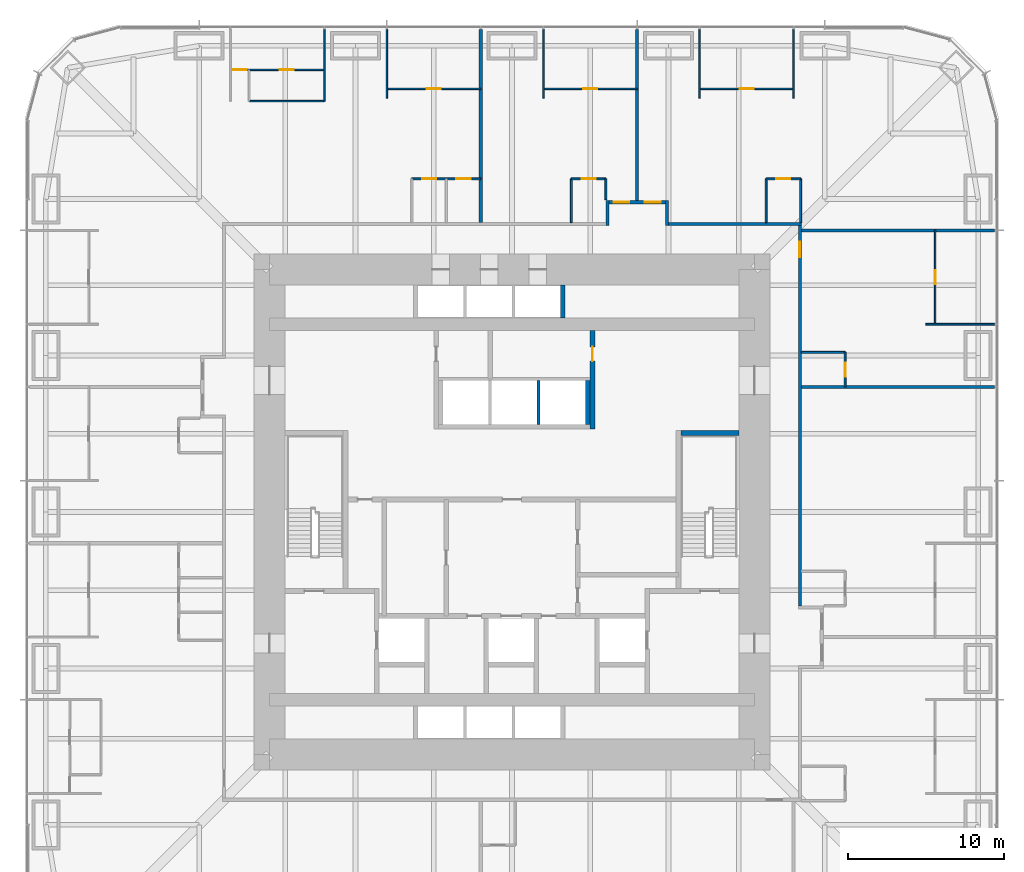
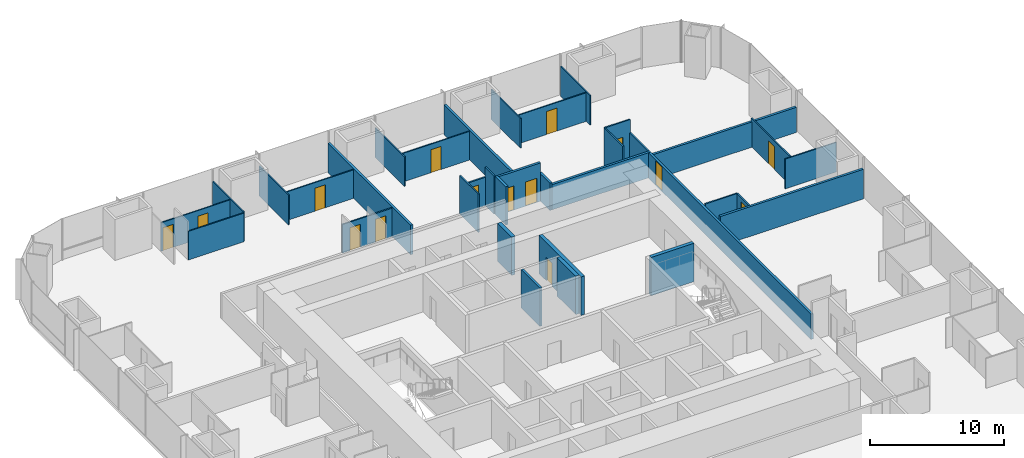
# One storey, part 15 of 17: 35 walls, 15 doors, 15 openings.
"""IFC4 building model written with IfcOpenShell, lengths in metres."""

from ifc_helpers import new_model, si_unit, direction, frame, frame_2d, origin, place, context, subcontext, project, spatial, rectangle, extrude, material, layer, layer_set, type_object, element, fill, save


model = new_model("IFC4")

# Units and contexts
model_context = context("Model", 3, precision=1e-05, world=origin(), true_north=direction((0.0, 1.0)))
body_context = subcontext(model_context, "Body", "Model", "MODEL_VIEW")
ifc_project = project(units=[si_unit("LENGTHUNIT", "METRE"), si_unit("AREAUNIT", "SQUARE_METRE"), si_unit("VOLUMEUNIT", "CUBIC_METRE"), si_unit("PLANEANGLEUNIT", "RADIAN"), si_unit("MASSUNIT", "GRAM", prefix="KILO")], contexts=[model_context])

# Site, building, storey
site_placement = place(None, origin())
site = spatial("IfcSite", under=ifc_project, at=site_placement, CompositionType="ELEMENT")
building_placement = place(site_placement, origin())
building = spatial("IfcBuilding", under=site, at=building_placement, Name="Khuree Lantern Residences", CompositionType="ELEMENT")
storey_placement = place(building_placement, frame((0.0, 0.0, 84.75)))
storey = spatial("IfcBuildingStorey", under=building, at=storey_placement, Name="L21", CompositionType="ELEMENT", Elevation=84.75)

# Wall, opening, door
ifc_material_1 = material(Name="Moisture-resistant gypsum board on steel studs", Category="steel")
ifc_layer_1 = layer(ifc_material_1, 0.125)
ifc_layer_set_1 = layer_set([ifc_layer_1], Name="BATHROOM WALL BTW125")
wall_type_1 = type_object("IfcWallType", Name="BATHROOM WALL BTW125", PredefinedType="PARTITIONING", material=ifc_layer_set_1)
wall_1_placement = place(storey_placement, frame((21.300048828125, 8.0, 0.0), z_axis=(0.0, 0.0, 1.0), x_axis=(0.0, 1.0, 0.0)))
wall_1 = element("IfcWall", 1, at=wall_1_placement, inside=storey, type_object=wall_type_1, Name="L21 BATHROOM WALL 02", PredefinedType="PARTITIONING", context=body_context, shape_type="SweptSolid", body=[
    extrude(rectangle(XDim=2.199951171875, YDim=0.125, at=frame_2d((1.10009765625, 0.0))), origin(), (0.0, 0.0, 1.0), 2.491943359375),
])
opening_1_placement = place(wall_1_placement, frame((0.64990234375, 0.0, 0.0)))
opening_1 = element("IfcOpeningElement", 2, at=opening_1_placement, cuts=wall_1, Name="Opening 21-026", PredefinedType="OPENING", context=body_context, shape_type="SweptSolid", body=[
    extrude(rectangle(XDim=0.89990234375, YDim=2.10009765625, at=frame_2d((0.449951171875, 1.050048828125))), frame((0.0, 0.072509765625, 0.0), z_axis=(0.0, -1.0, 0.0), x_axis=(1.0, 0.0, 0.0)), (0.0, 0.0, 1.0), 0.14501953125),
])
ifc_material_2 = material(Name="Timber door leaf in hardwood frame", Category="wood")
door_type_1 = type_object("IfcDoorType", Name="BATHROOM DOOR 900X2100", OperationType="SINGLE_SWING_LEFT", PredefinedType="DOOR", material=ifc_material_2)
door_1_placement = place(opening_1_placement, origin())
door_1 = element("IfcDoor", 3, at=door_1_placement, inside=storey, type_object=door_type_1, Name="Bathroom door 21-026", OperationType="SINGLE_SWING_LEFT", OverallHeight=2.10009765625, OverallWidth=0.89990234375, PredefinedType="DOOR", context=body_context, shape_type="SweptSolid", body=[
    extrude(rectangle(XDim=0.89990234375, YDim=2.10009765625, at=frame_2d((0.449951171875, 1.050048828125))), frame((0.0, 0.02490234375, 0.0), z_axis=(0.0, -1.0, 0.0), x_axis=(1.0, 0.0, 0.0)), (0.0, 0.0, 1.0), 0.050048828125),
])
fill(opening_1, door_1)

# Wall
wall_2_placement = place(storey_placement, frame((18.5, 10.199951171875, 0.0), z_axis=(0.0, 0.0, 1.0), x_axis=(1.0, 0.0, 0.0)))
element("IfcWall", 4, at=wall_2_placement, inside=storey, type_object=wall_type_1, Name="L21 BATHROOM WALL 02", PredefinedType="PARTITIONING", context=body_context, shape_type="SweptSolid", body=[
    extrude(rectangle(XDim=2.800048828125, YDim=0.125, at=frame_2d((1.39990234375, 0.0))), origin(), (0.0, 0.0, 1.0), 2.491943359375),
])

# Wall, opening, door
wall_3_placement = place(storey_placement, frame((18.449951171875, 21.300048828125, 0.0), z_axis=(0.0, 0.0, 1.0), x_axis=(-1.0, 0.0, 0.0)))
wall_3 = element("IfcWall", 5, at=wall_3_placement, inside=storey, type_object=wall_type_1, Name="L21 BATHROOM WALL 03", PredefinedType="PARTITIONING", context=body_context, shape_type="SweptSolid", body=[
    extrude(rectangle(XDim=2.199951171875, YDim=0.125, at=frame_2d((1.10009765625, 0.0))), origin(), (0.0, 0.0, 1.0), 3.5),
])
opening_2_placement = place(wall_3_placement, frame((0.64990234375, 0.0, 0.0)))
opening_2 = element("IfcOpeningElement", 6, at=opening_2_placement, cuts=wall_3, Name="Opening 21-029", PredefinedType="OPENING", context=body_context, shape_type="SweptSolid", body=[
    extrude(rectangle(XDim=0.89990234375, YDim=2.10009765625, at=frame_2d((0.449951171875, 1.050048828125))), frame((0.0, 0.072509765625, 0.0), z_axis=(0.0, -1.0, 0.0), x_axis=(1.0, 0.0, 0.0)), (0.0, 0.0, 1.0), 0.14501953125),
])
door_2_placement = place(opening_2_placement, origin())
door_2 = element("IfcDoor", 7, at=door_2_placement, inside=storey, type_object=door_type_1, Name="Bathroom door 21-029", OperationType="SINGLE_SWING_LEFT", OverallHeight=2.10009765625, OverallWidth=0.89990234375, PredefinedType="DOOR", context=body_context, shape_type="SweptSolid", body=[
    extrude(rectangle(XDim=0.89990234375, YDim=2.10009765625, at=frame_2d((0.449951171875, 1.050048828125))), frame((0.0, 0.02490234375, 0.0), z_axis=(0.0, -1.0, 0.0), x_axis=(1.0, 0.0, 0.0)), (0.0, 0.0, 1.0), 0.050048828125),
])
fill(opening_2, door_2)

# Walls
wall_4_placement = place(storey_placement, frame((18.449951171875, 18.5, 0.0), z_axis=(0.0, 0.0, 1.0), x_axis=(0.0, 1.0, 0.0)))
element("IfcWall", 8, at=wall_4_placement, inside=storey, type_object=wall_type_1, Name="L21 BATHROOM WALL 03", PredefinedType="PARTITIONING", context=body_context, shape_type="SweptSolid", body=[
    extrude(rectangle(XDim=2.800048828125, YDim=0.125, at=frame_2d((1.39990234375, 0.0))), origin(), (0.0, 0.0, 1.0), 2.300048828125),
])
wall_5_placement = place(storey_placement, frame((16.25, 18.5, 0.0), z_axis=(0.0, 0.0, 1.0), x_axis=(0.0, 1.0, 0.0)))
element("IfcWall", 9, at=wall_5_placement, inside=storey, type_object=wall_type_1, Name="L21 BATHROOM WALL 03", PredefinedType="PARTITIONING", context=body_context, shape_type="SweptSolid", body=[
    extrude(rectangle(XDim=2.800048828125, YDim=0.125, at=frame_2d((1.39990234375, 0.0))), origin(), (0.0, 0.0, 1.0), 3.5),
])

# Wall, opening, door
wall_6_placement = place(storey_placement, frame((6.0, 21.300048828125, 0.0), z_axis=(0.0, 0.0, 1.0), x_axis=(-1.0, 0.0, 0.0)))
wall_6 = element("IfcWall", 10, at=wall_6_placement, inside=storey, type_object=wall_type_1, Name="L21 BATHROOM WALL 04", PredefinedType="PARTITIONING", context=body_context, shape_type="SweptSolid", body=[
    extrude(rectangle(XDim=2.199951171875, YDim=0.125, at=frame_2d((1.10009765625, 0.0))), origin(), (0.0, 0.0, 1.0), 2.610107421875),
])
opening_3_placement = place(wall_6_placement, frame((0.64990234375, 0.0, 0.0)))
opening_3 = element("IfcOpeningElement", 11, at=opening_3_placement, cuts=wall_6, Name="Opening 21-032", PredefinedType="OPENING", context=body_context, shape_type="SweptSolid", body=[
    extrude(rectangle(XDim=0.89990234375, YDim=2.10009765625, at=frame_2d((0.449951171875, 1.050048828125))), frame((0.0, 0.072509765625, 0.0), z_axis=(0.0, -1.0, 0.0), x_axis=(1.0, 0.0, 0.0)), (0.0, 0.0, 1.0), 0.14501953125),
])
door_3_placement = place(opening_3_placement, origin())
door_3 = element("IfcDoor", 12, at=door_3_placement, inside=storey, type_object=door_type_1, Name="Bathroom door 21-032", OperationType="SINGLE_SWING_LEFT", OverallHeight=2.10009765625, OverallWidth=0.89990234375, PredefinedType="DOOR", context=body_context, shape_type="SweptSolid", body=[
    extrude(rectangle(XDim=0.89990234375, YDim=2.10009765625, at=frame_2d((0.449951171875, 1.050048828125))), frame((0.0, 0.02490234375, 0.0), z_axis=(0.0, -1.0, 0.0), x_axis=(1.0, 0.0, 0.0)), (0.0, 0.0, 1.0), 0.050048828125),
])
fill(opening_3, door_3)

# Walls
wall_7_placement = place(storey_placement, frame((6.0, 19.969970703125, 0.0), z_axis=(0.0, 0.0, 1.0), x_axis=(0.0, 1.0, 0.0)))
element("IfcWall", 13, at=wall_7_placement, inside=storey, type_object=wall_type_1, Name="L21 BATHROOM WALL 04", PredefinedType="PARTITIONING", context=body_context, shape_type="SweptSolid", body=[
    extrude(rectangle(XDim=1.330078125, YDim=0.125, at=frame_2d((0.6650390625, 0.0))), origin(), (0.0, 0.0, 1.0), 3.5),
])
wall_8_placement = place(storey_placement, frame((3.800048828125, 18.5, 0.0), z_axis=(0.0, 0.0, 1.0), x_axis=(0.0, 1.0, 0.0)))
element("IfcWall", 14, at=wall_8_placement, inside=storey, type_object=wall_type_1, Name="L21 BATHROOM WALL 04", PredefinedType="PARTITIONING", context=body_context, shape_type="SweptSolid", body=[
    extrude(rectangle(XDim=2.800048828125, YDim=0.125, at=frame_2d((1.39990234375, 0.0))), origin(), (0.0, 0.0, 1.0), 3.5),
])

# Wall, openings, doors
wall_9_placement = place(storey_placement, frame((-2.0, 21.300048828125, 0.0), z_axis=(0.0, 0.0, 1.0), x_axis=(-1.0, 0.0, 0.0)))
wall_9 = element("IfcWall", 15, at=wall_9_placement, inside=storey, type_object=wall_type_1, Name="L21 BATHROOM WALL 05", PredefinedType="PARTITIONING", context=body_context, shape_type="SweptSolid", body=[
    extrude(rectangle(XDim=4.39990234375, YDim=0.125, at=frame_2d((2.199951171875, 0.0))), origin(), (0.0, 0.0, 1.0), 2.610107421875),
])
opening_4_placement = place(wall_9_placement, frame((0.64990234375, 0.0, 0.0)))
opening_4 = element("IfcOpeningElement", 16, at=opening_4_placement, cuts=wall_9, Name="Opening 21-038", PredefinedType="OPENING", context=body_context, shape_type="SweptSolid", body=[
    extrude(rectangle(XDim=0.89990234375, YDim=2.10009765625, at=frame_2d((0.449951171875, 1.050048828125))), frame((0.0, 0.072509765625, 0.0), z_axis=(0.0, -1.0, 0.0), x_axis=(1.0, 0.0, 0.0)), (0.0, 0.0, 1.0), 0.14501953125),
])
opening_5_placement = place(wall_9_placement, frame((2.85009765625, 0.0, 0.0)))
opening_5 = element("IfcOpeningElement", 17, at=opening_5_placement, cuts=wall_9, Name="Opening 21-039", PredefinedType="OPENING", context=body_context, shape_type="SweptSolid", body=[
    extrude(rectangle(XDim=0.89990234375, YDim=2.10009765625, at=frame_2d((0.449951171875, 1.050048828125))), frame((0.0, 0.072509765625, 0.0), z_axis=(0.0, -1.0, 0.0), x_axis=(1.0, 0.0, 0.0)), (0.0, 0.0, 1.0), 0.14501953125),
])
door_4_placement = place(opening_4_placement, origin())
door_4 = element("IfcDoor", 18, at=door_4_placement, inside=storey, type_object=door_type_1, Name="Bathroom door 21-038", OperationType="SINGLE_SWING_LEFT", OverallHeight=2.10009765625, OverallWidth=0.89990234375, PredefinedType="DOOR", context=body_context, shape_type="SweptSolid", body=[
    extrude(rectangle(XDim=0.89990234375, YDim=2.10009765625, at=frame_2d((0.449951171875, 1.050048828125))), frame((0.0, 0.02490234375, 0.0), z_axis=(0.0, -1.0, 0.0), x_axis=(1.0, 0.0, 0.0)), (0.0, 0.0, 1.0), 0.050048828125),
])
fill(opening_4, door_4)
door_5_placement = place(opening_5_placement, origin())
door_5 = element("IfcDoor", 19, at=door_5_placement, inside=storey, type_object=door_type_1, Name="Bathroom door 21-039", OperationType="SINGLE_SWING_LEFT", OverallHeight=2.10009765625, OverallWidth=0.89990234375, PredefinedType="DOOR", context=body_context, shape_type="SweptSolid", body=[
    extrude(rectangle(XDim=0.89990234375, YDim=2.10009765625, at=frame_2d((0.449951171875, 1.050048828125))), frame((0.0, 0.02490234375, 0.0), z_axis=(0.0, -1.0, 0.0), x_axis=(1.0, 0.0, 0.0)), (0.0, 0.0, 1.0), 0.050048828125),
])
fill(opening_5, door_5)

# Walls
ifc_material_3 = material(Name="Dense concrete blockwork", Category="masonry")
ifc_layer_2 = layer(ifc_material_3, 0.300048828125)
ifc_layer_set_2 = layer_set([ifc_layer_2], Name="CORE PARTITION WALL CPW300 EI 120")
wall_type_2 = type_object("IfcWallType", Name="CORE PARTITION WALL CPW300 EI 120", PredefinedType="PARTITIONING", material=ifc_layer_set_2)
wall_10_placement = place(storey_placement, frame((4.85009765625, 5.60009765625, 0.0), z_axis=(0.0, 0.0, 1.0), x_axis=(0.0, 1.0, 0.0)))
element("IfcWall", 20, at=wall_10_placement, inside=storey, type_object=wall_type_2, Name="L21 CORE WALL PHE", PredefinedType="PARTITIONING", context=body_context, shape_type="SweptSolid", body=[
    extrude(rectangle(XDim=2.7998046875, YDim=0.300048828125, at=frame_2d((1.39990234375, 0.0))), origin(), (0.0, 0.0, 1.0), 3.5),
])
wall_11_placement = place(storey_placement, frame((3.25, 12.39990234375, 0.0), z_axis=(0.0, 0.0, 1.0), x_axis=(0.0, 1.0, 0.0)))
element("IfcWall", 21, at=wall_11_placement, inside=storey, type_object=wall_type_2, Name="L21 CORE WALL PLE", PredefinedType="PARTITIONING", context=body_context, shape_type="SweptSolid", body=[
    extrude(rectangle(XDim=2.10009765625, YDim=0.300048828125, at=frame_2d((1.050048828125, 0.0))), origin(), (0.0, 0.0, 1.0), 3.5),
])

# Wall, opening, door
wall_12_placement = place(storey_placement, frame((5.14990234375, 5.300048828125, 0.0), z_axis=(0.0, 0.0, 1.0), x_axis=(0.0, 1.0, 0.0)))
wall_12 = element("IfcWall", 22, at=wall_12_placement, inside=storey, type_object=wall_type_2, Name="L21 CORE WALL NE", PredefinedType="PARTITIONING", context=body_context, shape_type="SweptSolid", body=[
    extrude(rectangle(XDim=6.300048828125, YDim=0.300048828125, at=frame_2d((3.14990234375, 0.0))), origin(), (0.0, 0.0, 1.0), 3.5),
])
opening_6_placement = place(wall_12_placement, frame((4.35009765625, 0.0, 0.0)))
opening_6 = element("IfcOpeningElement", 23, at=opening_6_placement, cuts=wall_12, Name="Opening 21-021", PredefinedType="OPENING", context=body_context, shape_type="SweptSolid", body=[
    extrude(rectangle(XDim=0.89990234375, YDim=2.10009765625, at=frame_2d((0.449951171875, 1.050048828125))), frame((0.0, 0.16015625, 0.0), z_axis=(0.0, -1.0, 0.0), x_axis=(1.0, 0.0, 0.0)), (0.0, 0.0, 1.0), 0.320068359375),
])
door_type_2 = type_object("IfcDoorType", Name="DOOR 900X2100", OperationType="SINGLE_SWING_LEFT", PredefinedType="DOOR", material=ifc_material_2)
door_6_placement = place(opening_6_placement, origin())
door_6 = element("IfcDoor", 24, at=door_6_placement, inside=storey, type_object=door_type_2, Name="Parcel room door 21-021", OperationType="SINGLE_SWING_LEFT", OverallHeight=2.10009765625, OverallWidth=0.89990234375, PredefinedType="DOOR", context=body_context, shape_type="SweptSolid", body=[
    extrude(rectangle(XDim=0.89990234375, YDim=2.10009765625, at=frame_2d((0.449951171875, 1.050048828125))), frame((0.0, 0.02490234375, 0.0), z_axis=(0.0, -1.0, 0.0), x_axis=(1.0, 0.0, 0.0)), (0.0, 0.0, 1.0), 0.050048828125),
])
fill(opening_6, door_6)

ifc_material_4 = material(Name="Gypsum board on steel studs", Category="steel")
ifc_layer_3 = layer(ifc_material_4, 0.199951171875)
ifc_layer_set_3 = layer_set([ifc_layer_3], Name="CORRIDOR WALL CRW200 EI 60")
wall_type_3 = type_object("IfcWallType", Name="CORRIDOR WALL CRW200 EI 60", PredefinedType="PARTITIONING", material=ifc_layer_set_3)
wall_13_placement = place(storey_placement, frame((18.39990234375, -6.0, 0.0), z_axis=(0.0, 0.0, 1.0), x_axis=(0.0, 1.0, 0.0)))
wall_13 = element("IfcWall", 25, at=wall_13_placement, inside=storey, type_object=wall_type_3, Name="L21 CORRIDOR WALL EAST 2", PredefinedType="PARTITIONING", context=body_context, shape_type="SweptSolid", body=[
    extrude(rectangle(XDim=24.300048828125, YDim=0.199951171875, at=frame_2d((12.14990234375, 0.0))), origin(), (0.0, 0.0, 1.0), 2.300048828125),
])
opening_7_placement = place(wall_13_placement, frame((22.27001953125, 0.0, 0.0)))
opening_7 = element("IfcOpeningElement", 26, at=opening_7_placement, cuts=wall_13, Name="Opening 21-027", PredefinedType="OPENING", context=body_context, shape_type="SweptSolid", body=[
    extrude(rectangle(XDim=1.0, YDim=2.199951171875, at=frame_2d((0.5, 1.10009765625))), frame((0.0, 0.10986328125, 0.0), z_axis=(0.0, -1.0, 0.0), x_axis=(1.0, 0.0, 0.0)), (0.0, 0.0, 1.0), 0.219970703125),
])
door_type_3 = type_object("IfcDoorType", Name="APARTMENT ENTRANCE DOOR 1000X2200 EI 30S RIGHT HAND", OperationType="SINGLE_SWING_RIGHT", PredefinedType="DOOR", material=ifc_material_2)
door_7_placement = place(opening_7_placement, origin())
door_7 = element("IfcDoor", 27, at=door_7_placement, inside=storey, type_object=door_type_3, Name="Apartment 02 entrance door 21-027", OperationType="SINGLE_SWING_RIGHT", OverallHeight=2.199951171875, OverallWidth=1.0, PredefinedType="DOOR", context=body_context, shape_type="SweptSolid", body=[
    extrude(rectangle(XDim=1.0, YDim=2.199951171875, at=frame_2d((0.5, 1.10009765625))), frame((0.0, 0.02490234375, 0.0), z_axis=(0.0, -1.0, 0.0), x_axis=(1.0, 0.0, 0.0)), (0.0, 0.0, 1.0), 0.050048828125),
])
fill(opening_7, door_7)

# Walls
wall_14_placement = place(storey_placement, frame((6.10009765625, 18.300048828125, 0.0), z_axis=(0.0, 0.0, 1.0), x_axis=(0.0, 1.0, 0.0)))
element("IfcWall", 28, at=wall_14_placement, inside=storey, type_object=wall_type_3, Name="L21 CORRIDOR ALCOVE WALL NORTH", PredefinedType="PARTITIONING", context=body_context, shape_type="SweptSolid", body=[
    extrude(rectangle(XDim=1.599853515625, YDim=0.199951171875, at=frame_2d((0.7998046875, 0.0))), origin(), (0.0, 0.0, 1.0), 3.5),
])
wall_15_placement = place(storey_placement, frame((9.89990234375, 18.300048828125, 0.0), z_axis=(0.0, 0.0, 1.0), x_axis=(0.0, 1.0, 0.0)))
element("IfcWall", 29, at=wall_15_placement, inside=storey, type_object=wall_type_3, Name="L21 CORRIDOR ALCOVE WALL NORTH", PredefinedType="PARTITIONING", context=body_context, shape_type="SweptSolid", body=[
    extrude(rectangle(XDim=1.599853515625, YDim=0.199951171875, at=frame_2d((0.7998046875, 0.0))), origin(), (0.0, 0.0, 1.0), 2.491943359375),
])

# Wall, openings, doors
wall_16_placement = place(storey_placement, frame((6.199951171875, 19.800048828125, 0.0), z_axis=(0.0, 0.0, 1.0), x_axis=(1.0, 0.0, 0.0)))
wall_16 = element("IfcWall", 30, at=wall_16_placement, inside=storey, type_object=wall_type_3, Name="L21 CORRIDOR ALCOVE WALL NORTH", PredefinedType="PARTITIONING", context=body_context, shape_type="SweptSolid", body=[
    extrude(rectangle(XDim=3.60009765625, YDim=0.199951171875, at=frame_2d((1.800048828125, 0.0))), origin(), (0.0, 0.0, 1.0), 3.5),
])
opening_8_placement = place(wall_16_placement, frame((2.300048828125, 0.0, 0.0)))
opening_8 = element("IfcOpeningElement", 31, at=opening_8_placement, cuts=wall_16, Name="Opening 21-030", PredefinedType="OPENING", context=body_context, shape_type="SweptSolid", body=[
    extrude(rectangle(XDim=1.0, YDim=2.199951171875, at=frame_2d((0.5, 1.10009765625))), frame((0.0, 0.10986328125, 0.0), z_axis=(0.0, -1.0, 0.0), x_axis=(1.0, 0.0, 0.0)), (0.0, 0.0, 1.0), 0.219970703125),
])
opening_9_placement = place(wall_16_placement, frame((0.300048828125, 0.0, 0.0)))
opening_9 = element("IfcOpeningElement", 32, at=opening_9_placement, cuts=wall_16, Name="Opening 21-033", PredefinedType="OPENING", context=body_context, shape_type="SweptSolid", body=[
    extrude(rectangle(XDim=1.0, YDim=2.199951171875, at=frame_2d((0.5, 1.10009765625))), frame((0.0, 0.10986328125, 0.0), z_axis=(0.0, -1.0, 0.0), x_axis=(1.0, 0.0, 0.0)), (0.0, 0.0, 1.0), 0.219970703125),
])
door_type_4 = type_object("IfcDoorType", Name="APARTMENT ENTRANCE DOOR 1000X2200 EI 30S", OperationType="SINGLE_SWING_LEFT", PredefinedType="DOOR", material=ifc_material_2)
door_8_placement = place(opening_8_placement, origin())
door_8 = element("IfcDoor", 33, at=door_8_placement, inside=storey, type_object=door_type_4, Name="Apartment 03 entrance door 21-030", OperationType="SINGLE_SWING_LEFT", OverallHeight=2.199951171875, OverallWidth=1.0, PredefinedType="DOOR", context=body_context, shape_type="SweptSolid", body=[
    extrude(rectangle(XDim=1.0, YDim=2.199951171875, at=frame_2d((0.5, 1.10009765625))), frame((0.0, 0.02490234375, 0.0), z_axis=(0.0, -1.0, 0.0), x_axis=(1.0, 0.0, 0.0)), (0.0, 0.0, 1.0), 0.050048828125),
])
fill(opening_8, door_8)
door_9_placement = place(opening_9_placement, origin())
door_9 = element("IfcDoor", 34, at=door_9_placement, inside=storey, type_object=door_type_4, Name="Apartment 04 entrance door 21-033", OperationType="SINGLE_SWING_LEFT", OverallHeight=2.199951171875, OverallWidth=1.0, PredefinedType="DOOR", context=body_context, shape_type="SweptSolid", body=[
    extrude(rectangle(XDim=1.0, YDim=2.199951171875, at=frame_2d((0.5, 1.10009765625))), frame((0.0, 0.02490234375, 0.0), z_axis=(0.0, -1.0, 0.0), x_axis=(1.0, 0.0, 0.0)), (0.0, 0.0, 1.0), 0.050048828125),
])
fill(opening_9, door_9)

# Walls
wall_17_placement = place(storey_placement, frame((10.0, 18.39990234375, 0.0), z_axis=(0.0, 0.0, 1.0), x_axis=(1.0, 0.0, 0.0)))
element("IfcWall", 35, at=wall_17_placement, inside=storey, type_object=wall_type_3, Name="L21 CORRIDOR WALL NORTH 2", PredefinedType="PARTITIONING", context=body_context, shape_type="SweptSolid", body=[
    extrude(rectangle(XDim=8.5, YDim=0.199951171875, at=frame_2d((4.25, 0.0))), origin(), (0.0, 0.0, 1.0), 2.300048828125),
])
ifc_layer_4 = layer(ifc_material_4, 0.199951171875)
ifc_layer_set_4 = layer_set([ifc_layer_4], Name="DEMISING WALL DMW200 EI 90")
wall_type_4 = type_object("IfcWallType", Name="DEMISING WALL DMW200 EI 90", PredefinedType="PARTITIONING", material=ifc_layer_set_4)
wall_18_placement = place(storey_placement, frame((18.5, 8.0, 0.0), z_axis=(0.0, 0.0, 1.0), x_axis=(1.0, 0.0, 0.0)))
element("IfcWall", 36, at=wall_18_placement, inside=storey, type_object=wall_type_4, Name="L21 DEMISING WALL 02", PredefinedType="PARTITIONING", context=body_context, shape_type="SweptSolid", body=[
    extrude(rectangle(XDim=12.35009765625, YDim=0.199951171875, at=frame_2d((6.175048828125, 0.0))), origin(), (0.0, 0.0, 1.0), 2.7099609375),
])
wall_19_placement = place(storey_placement, frame((18.5, 18.0, 0.0), z_axis=(0.0, 0.0, 1.0), x_axis=(1.0, 0.0, 0.0)))
element("IfcWall", 37, at=wall_19_placement, inside=storey, type_object=wall_type_4, Name="L21 DEMISING WALL 03", PredefinedType="PARTITIONING", context=body_context, shape_type="SweptSolid", body=[
    extrude(rectangle(XDim=12.35009765625, YDim=0.199951171875, at=frame_2d((6.175048828125, 0.0))), origin(), (0.0, 0.0, 1.0), 2.300048828125),
])
wall_20_placement = place(storey_placement, frame((8.0, 19.89990234375, 0.0), z_axis=(0.0, 0.0, 1.0), x_axis=(0.0, 1.0, 0.0)))
element("IfcWall", 38, at=wall_20_placement, inside=storey, type_object=wall_type_4, Name="L21 DEMISING WALL 04", PredefinedType="PARTITIONING", context=body_context, shape_type="SweptSolid", body=[
    extrude(rectangle(XDim=10.9501953125, YDim=0.199951171875, at=frame_2d((5.47509765625, 0.0))), origin(), (0.0, 0.0, 1.0), 2.7099609375),
])
wall_21_placement = place(storey_placement, frame((-2.0, 18.5, 0.0), z_axis=(0.0, 0.0, 1.0), x_axis=(0.0, 1.0, 0.0)))
element("IfcWall", 39, at=wall_21_placement, inside=storey, type_object=wall_type_4, Name="L21 DEMISING WALL 05", PredefinedType="PARTITIONING", context=body_context, shape_type="SweptSolid", body=[
    extrude(rectangle(XDim=12.35009765625, YDim=0.199951171875, at=frame_2d((6.175048828125, 0.0))), origin(), (0.0, 0.0, 1.0), 2.7099609375),
])
ifc_layer_5 = layer(ifc_material_4, 0.10009765625)
ifc_layer_set_5 = layer_set([ifc_layer_5], Name="PARTITION PT100")
wall_type_5 = type_object("IfcWallType", Name="PARTITION PT100", PredefinedType="PARTITIONING", material=ifc_layer_set_5)
for number, where, z_axis, x_axis, name in (
    (40, (26.449951171875, 12.0, 0.0), (0.0, 0.0, 1.0), (1.0, 0.0, 0.0), "L21 PARTITION 02"),
    (41, (18.0, 26.449951171875, 0.0), (0.0, 0.0, 1.0), (0.0, 1.0, 0.0), "L21 PARTITION 03"),
    (42, (12.0, 26.449951171875, 0.0), (0.0, 0.0, 1.0), (0.0, 1.0, 0.0), "L21 PARTITION 03"),
    (43, (2.0, 26.449951171875, 0.0), (0.0, 0.0, 1.0), (0.0, 1.0, 0.0), "L21 PARTITION 04"),
    (44, (-8.0, 26.449951171875, 0.0), (0.0, 0.0, 1.0), (0.0, 1.0, 0.0), "L21 PARTITION 05"),
):
    element("IfcWall", number, at=place(storey_placement, frame(where, z_axis=z_axis, x_axis=x_axis)), inside=storey, type_object=wall_type_5, Name=name, PredefinedType="PARTITIONING", context=body_context, shape_type="SweptSolid", body=[
        extrude(rectangle(XDim=4.400146484375, YDim=0.10009765625, at=frame_2d((2.2001953125, 0.0))), origin(), (0.0, 0.0, 1.0), 2.7099609375),
    ])
wall_22_placement = place(storey_placement, frame((-12.0, 26.2666015625, 0.0), z_axis=(0.0, 0.0, 1.0), x_axis=(0.0, 1.0, 0.0)))
element("IfcWall", 45, at=wall_22_placement, inside=storey, type_object=wall_type_5, Name="L21 PARTITION 05", PredefinedType="PARTITIONING", context=body_context, shape_type="SweptSolid", body=[
    extrude(rectangle(XDim=4.58349609375, YDim=0.10009765625, at=frame_2d((2.291748046875, 0.0))), origin(), (0.0, 0.0, 1.0), 2.7099609375),
])

# Wall, opening, door
wall_23_placement = place(storey_placement, frame((27.050048828125, 12.0, 0.0), z_axis=(0.0, 0.0, 1.0), x_axis=(0.0, 1.0, 0.0)))
wall_23 = element("IfcWall", 46, at=wall_23_placement, inside=storey, type_object=wall_type_5, Name="L21 PARTITION 02", PredefinedType="PARTITIONING", context=body_context, shape_type="SweptSolid", body=[
    extrude(rectangle(XDim=6.0, YDim=0.10009765625, at=frame_2d((3.0, 0.0))), origin(), (0.0, 0.0, 1.0), 2.610107421875),
])
opening_10_placement = place(wall_23_placement, frame((2.550048828125, 0.0, 0.0)))
opening_10 = element("IfcOpeningElement", 47, at=opening_10_placement, cuts=wall_23, Name="Opening 21-025", PredefinedType="OPENING", context=body_context, shape_type="SweptSolid", body=[
    extrude(rectangle(XDim=0.89990234375, YDim=2.10009765625, at=frame_2d((0.449951171875, 1.050048828125))), frame((0.0, 0.06005859375, 0.0), z_axis=(0.0, -1.0, 0.0), x_axis=(1.0, 0.0, 0.0)), (0.0, 0.0, 1.0), 0.1201171875),
])
door_type_5 = type_object("IfcDoorType", Name="BEDROOM DOOR 900X2100 RIGHT HAND", OperationType="SINGLE_SWING_RIGHT", PredefinedType="DOOR", material=ifc_material_2)
door_10_placement = place(opening_10_placement, origin())
door_10 = element("IfcDoor", 48, at=door_10_placement, inside=storey, type_object=door_type_5, Name="Bedroom door 21-025", OperationType="SINGLE_SWING_RIGHT", OverallHeight=2.10009765625, OverallWidth=0.89990234375, PredefinedType="DOOR", context=body_context, shape_type="SweptSolid", body=[
    extrude(rectangle(XDim=0.89990234375, YDim=2.10009765625, at=frame_2d((0.449951171875, 1.050048828125))), frame((0.0, 0.02490234375, 0.0), z_axis=(0.0, -1.0, 0.0), x_axis=(1.0, 0.0, 0.0)), (0.0, 0.0, 1.0), 0.050048828125),
])
fill(opening_10, door_10)

wall_24_placement = place(storey_placement, frame((18.0, 27.050048828125, 0.0), z_axis=(0.0, 0.0, 1.0), x_axis=(-1.0, 0.0, 0.0)))
wall_24 = element("IfcWall", 49, at=wall_24_placement, inside=storey, type_object=wall_type_5, Name="L21 PARTITION 03", PredefinedType="PARTITIONING", context=body_context, shape_type="SweptSolid", body=[
    extrude(rectangle(XDim=6.0, YDim=0.10009765625, at=frame_2d((3.0, 0.0))), origin(), (0.0, 0.0, 1.0), 2.610107421875),
])
opening_11_placement = place(wall_24_placement, frame((2.550048828125, 0.0, 0.0)))
opening_11 = element("IfcOpeningElement", 50, at=opening_11_placement, cuts=wall_24, Name="Opening 21-028", PredefinedType="OPENING", context=body_context, shape_type="SweptSolid", body=[
    extrude(rectangle(XDim=0.89990234375, YDim=2.10009765625, at=frame_2d((0.449951171875, 1.050048828125))), frame((0.0, 0.06005859375, 0.0), z_axis=(0.0, -1.0, 0.0), x_axis=(1.0, 0.0, 0.0)), (0.0, 0.0, 1.0), 0.1201171875),
])
door_type_6 = type_object("IfcDoorType", Name="BEDROOM DOOR 900X2100", OperationType="SINGLE_SWING_LEFT", PredefinedType="DOOR", material=ifc_material_2)
door_11_placement = place(opening_11_placement, origin())
door_11 = element("IfcDoor", 51, at=door_11_placement, inside=storey, type_object=door_type_6, Name="Bedroom door 21-028", OperationType="SINGLE_SWING_LEFT", OverallHeight=2.10009765625, OverallWidth=0.89990234375, PredefinedType="DOOR", context=body_context, shape_type="SweptSolid", body=[
    extrude(rectangle(XDim=0.89990234375, YDim=2.10009765625, at=frame_2d((0.449951171875, 1.050048828125))), frame((0.0, 0.02490234375, 0.0), z_axis=(0.0, -1.0, 0.0), x_axis=(1.0, 0.0, 0.0)), (0.0, 0.0, 1.0), 0.050048828125),
])
fill(opening_11, door_11)

wall_25_placement = place(storey_placement, frame((8.0, 27.050048828125, 0.0), z_axis=(0.0, 0.0, 1.0), x_axis=(-1.0, 0.0, 0.0)))
wall_25 = element("IfcWall", 52, at=wall_25_placement, inside=storey, type_object=wall_type_5, Name="L21 PARTITION 04", PredefinedType="PARTITIONING", context=body_context, shape_type="SweptSolid", body=[
    extrude(rectangle(XDim=6.0, YDim=0.10009765625, at=frame_2d((3.0, 0.0))), origin(), (0.0, 0.0, 1.0), 2.610107421875),
])
opening_12_placement = place(wall_25_placement, frame((2.550048828125, 0.0, 0.0)))
opening_12 = element("IfcOpeningElement", 53, at=opening_12_placement, cuts=wall_25, Name="Opening 21-031", PredefinedType="OPENING", context=body_context, shape_type="SweptSolid", body=[
    extrude(rectangle(XDim=0.89990234375, YDim=2.10009765625, at=frame_2d((0.449951171875, 1.050048828125))), frame((0.0, 0.06005859375, 0.0), z_axis=(0.0, -1.0, 0.0), x_axis=(1.0, 0.0, 0.0)), (0.0, 0.0, 1.0), 0.1201171875),
])
door_12_placement = place(opening_12_placement, origin())
door_12 = element("IfcDoor", 54, at=door_12_placement, inside=storey, type_object=door_type_6, Name="Bedroom door 21-031", OperationType="SINGLE_SWING_LEFT", OverallHeight=2.10009765625, OverallWidth=0.89990234375, PredefinedType="DOOR", context=body_context, shape_type="SweptSolid", body=[
    extrude(rectangle(XDim=0.89990234375, YDim=2.10009765625, at=frame_2d((0.449951171875, 1.050048828125))), frame((0.0, 0.02490234375, 0.0), z_axis=(0.0, -1.0, 0.0), x_axis=(1.0, 0.0, 0.0)), (0.0, 0.0, 1.0), 0.050048828125),
])
fill(opening_12, door_12)

wall_26_placement = place(storey_placement, frame((-2.0, 27.050048828125, 0.0), z_axis=(0.0, 0.0, 1.0), x_axis=(-1.0, 0.0, 0.0)))
wall_26 = element("IfcWall", 55, at=wall_26_placement, inside=storey, type_object=wall_type_5, Name="L21 PARTITION 05", PredefinedType="PARTITIONING", context=body_context, shape_type="SweptSolid", body=[
    extrude(rectangle(XDim=6.0, YDim=0.10009765625, at=frame_2d((3.0, 0.0))), origin(), (0.0, 0.0, 1.0), 2.610107421875),
])
opening_13_placement = place(wall_26_placement, frame((2.550048828125, 0.0, 0.0)))
opening_13 = element("IfcOpeningElement", 56, at=opening_13_placement, cuts=wall_26, Name="Opening 21-034", PredefinedType="OPENING", context=body_context, shape_type="SweptSolid", body=[
    extrude(rectangle(XDim=0.89990234375, YDim=2.10009765625, at=frame_2d((0.449951171875, 1.050048828125))), frame((0.0, 0.06005859375, 0.0), z_axis=(0.0, -1.0, 0.0), x_axis=(1.0, 0.0, 0.0)), (0.0, 0.0, 1.0), 0.1201171875),
])
door_13_placement = place(opening_13_placement, origin())
door_13 = element("IfcDoor", 57, at=door_13_placement, inside=storey, type_object=door_type_6, Name="Bedroom door 21-034", OperationType="SINGLE_SWING_LEFT", OverallHeight=2.10009765625, OverallWidth=0.89990234375, PredefinedType="DOOR", context=body_context, shape_type="SweptSolid", body=[
    extrude(rectangle(XDim=0.89990234375, YDim=2.10009765625, at=frame_2d((0.449951171875, 1.050048828125))), frame((0.0, 0.02490234375, 0.0), z_axis=(0.0, -1.0, 0.0), x_axis=(1.0, 0.0, 0.0)), (0.0, 0.0, 1.0), 0.050048828125),
])
fill(opening_13, door_13)

# Wall, openings, doors
wall_27_placement = place(storey_placement, frame((-12.0, 28.2666015625, 0.0), z_axis=(0.0, 0.0, 1.0), x_axis=(-1.0, 0.0, 0.0)))
wall_27 = element("IfcWall", 58, at=wall_27_placement, inside=storey, type_object=wall_type_5, Name="L21 PARTITION 05", PredefinedType="PARTITIONING", context=body_context, shape_type="SweptSolid", body=[
    extrude(rectangle(XDim=6.0, YDim=0.10009765625, at=frame_2d((3.0, 0.0))), origin(), (0.0, 0.0, 1.0), 2.610107421875),
])
opening_14_placement = place(wall_27_placement, frame((4.949951171875, 0.0, 0.0)))
opening_14 = element("IfcOpeningElement", 59, at=opening_14_placement, cuts=wall_27, Name="Opening 21-035", PredefinedType="OPENING", context=body_context, shape_type="SweptSolid", body=[
    extrude(rectangle(XDim=0.89990234375, YDim=2.10009765625, at=frame_2d((0.449951171875, 1.050048828125))), frame((0.0, 0.06005859375, 0.0), z_axis=(0.0, -1.0, 0.0), x_axis=(1.0, 0.0, 0.0)), (0.0, 0.0, 1.0), 0.1201171875),
])
opening_15_placement = place(wall_27_placement, frame((1.949951171875, 0.0, 0.0)))
opening_15 = element("IfcOpeningElement", 60, at=opening_15_placement, cuts=wall_27, Name="Opening 21-036", PredefinedType="OPENING", context=body_context, shape_type="SweptSolid", body=[
    extrude(rectangle(XDim=0.89990234375, YDim=2.10009765625, at=frame_2d((0.449951171875, 1.050048828125))), frame((0.0, 0.06005859375, 0.0), z_axis=(0.0, -1.0, 0.0), x_axis=(1.0, 0.0, 0.0)), (0.0, 0.0, 1.0), 0.1201171875),
])
door_14_placement = place(opening_14_placement, origin())
door_14 = element("IfcDoor", 61, at=door_14_placement, inside=storey, type_object=door_type_6, Name="Bedroom door 21-035", OperationType="SINGLE_SWING_LEFT", OverallHeight=2.10009765625, OverallWidth=0.89990234375, PredefinedType="DOOR", context=body_context, shape_type="SweptSolid", body=[
    extrude(rectangle(XDim=0.89990234375, YDim=2.10009765625, at=frame_2d((0.449951171875, 1.050048828125))), frame((0.0, 0.02490234375, 0.0), z_axis=(0.0, -1.0, 0.0), x_axis=(1.0, 0.0, 0.0)), (0.0, 0.0, 1.0), 0.050048828125),
])
fill(opening_14, door_14)
door_15_placement = place(opening_15_placement, origin())
door_15 = element("IfcDoor", 62, at=door_15_placement, inside=storey, type_object=door_type_2, Name="Wardrobe door 21-036", OperationType="SINGLE_SWING_LEFT", OverallHeight=2.10009765625, OverallWidth=0.89990234375, PredefinedType="DOOR", context=body_context, shape_type="SweptSolid", body=[
    extrude(rectangle(XDim=0.89990234375, YDim=2.10009765625, at=frame_2d((0.449951171875, 1.050048828125))), frame((0.0, 0.02490234375, 0.0), z_axis=(0.0, -1.0, 0.0), x_axis=(1.0, 0.0, 0.0)), (0.0, 0.0, 1.0), 0.050048828125),
])
fill(opening_15, door_15)

# Walls
wall_28_placement = place(storey_placement, frame((-12.0, 26.2666015625, 0.0), z_axis=(0.0, 0.0, 1.0), x_axis=(-1.0, 0.0, 0.0)))
element("IfcWall", 63, at=wall_28_placement, inside=storey, type_object=wall_type_5, Name="L21 PARTITION 05", PredefinedType="PARTITIONING", context=body_context, shape_type="SweptSolid", body=[
    extrude(rectangle(XDim=4.800048828125, YDim=0.10009765625, at=frame_2d((2.39990234375, 0.0))), origin(), (0.0, 0.0, 1.0), 2.610107421875),
])
ifc_layer_6 = layer(ifc_material_3, 0.199951171875)
ifc_layer_set_6 = layer_set([ifc_layer_6], Name="SHAFT WALL SHW200 EI 120")
wall_type_6 = type_object("IfcWallType", Name="SHAFT WALL SHW200 EI 120", PredefinedType="PARTITIONING", material=ifc_layer_set_6)
wall_29_placement = place(storey_placement, frame((1.699951171875, 5.60009765625, 0.0), z_axis=(0.0, 0.0, 1.0), x_axis=(0.0, 1.0, 0.0)))
element("IfcWall", 64, at=wall_29_placement, inside=storey, type_object=wall_type_6, Name="L21 CORE WALL PHD2", PredefinedType="PARTITIONING", context=body_context, shape_type="SweptSolid", body=[
    extrude(rectangle(XDim=2.7998046875, YDim=0.199951171875, at=frame_2d((1.39990234375, 0.0))), origin(), (0.0, 0.0, 1.0), 3.5),
])
ifc_material_5 = material(Name="Concrete C50/60", Category="concrete")
ifc_layer_7 = layer(ifc_material_5, 0.300048828125)
ifc_layer_set_7 = layer_set([ifc_layer_7], Name="STAIR WALL SRW300 C50/60 REI 240")
wall_type_7 = type_object("IfcWallType", Name="STAIR WALL SRW300 C50/60 REI 240", PredefinedType="SOLIDWALL", material=ifc_layer_set_7)
wall_30_placement = place(storey_placement, frame((14.5, 5.050048828125, 0.0), z_axis=(0.0, 0.0, 1.0), x_axis=(-1.0, 0.0, 0.0)))
element("IfcWall", 65, at=wall_30_placement, inside=storey, type_object=wall_type_7, Name="L21 STAIR WALL ST2N", PredefinedType="SOLIDWALL", context=body_context, shape_type="SweptSolid", body=[
    extrude(rectangle(XDim=3.699951171875, YDim=0.300048828125, at=frame_2d((1.85009765625, 0.0))), origin(), (0.0, 0.0, 1.0), 3.5),
])

save(model, "model.ifc")
